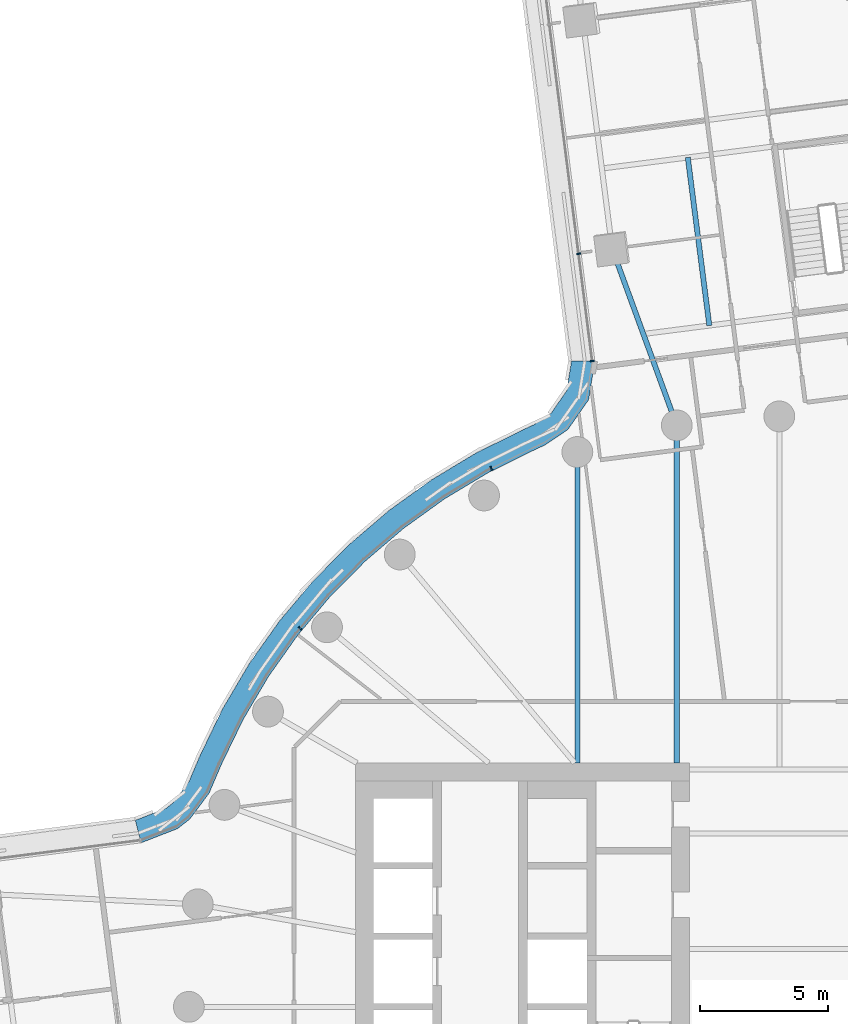
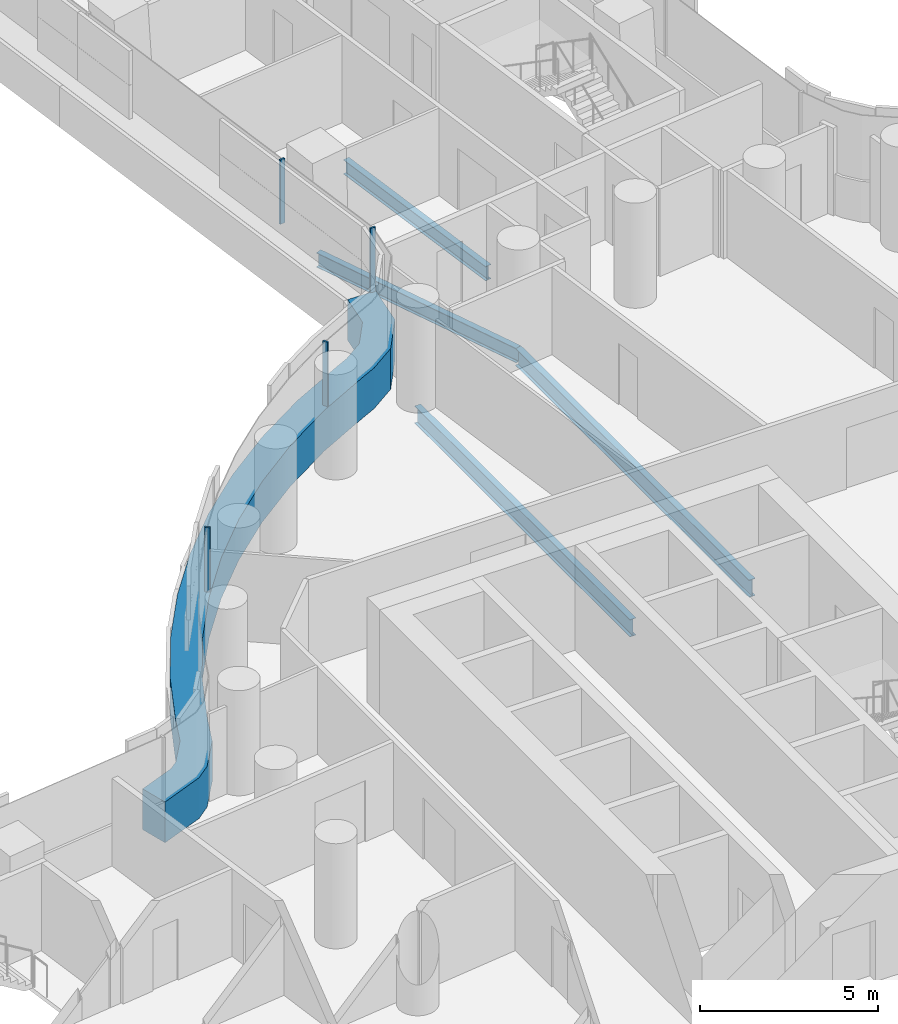
# One storey, part 13 of 31: 5 members, 4 beams, 2 elements without a shape of their own.
"""IFC4 building model written with IfcOpenShell, lengths in metres."""

from ifc_helpers import new_model, si_unit, direction, frame, origin, origin_2d, place, context, subcontext, project, spatial, polyline, rectangle, i_section, outline, extrude, material, layer, layer_set, material_profile, profile_set, type_object, element, aggregate, save


model = new_model("IFC4")

# Units and contexts
model_context = context("Model", 3, precision=1e-05, world=origin(), true_north=direction((0.0, 1.0)))
body_context = subcontext(model_context, "Body", "Model", "MODEL_VIEW")
ifc_project = project(units=[si_unit("LENGTHUNIT", "METRE"), si_unit("AREAUNIT", "SQUARE_METRE"), si_unit("VOLUMEUNIT", "CUBIC_METRE"), si_unit("PLANEANGLEUNIT", "RADIAN"), si_unit("MASSUNIT", "GRAM", prefix="KILO")], contexts=[model_context])

# Site, building, storey
site_placement = place(None, origin())
site = spatial("IfcSite", under=ifc_project, at=site_placement, CompositionType="ELEMENT")
building_placement = place(site_placement, origin())
building = spatial("IfcBuilding", under=site, at=building_placement, Name="Tamarind Cross Interchange Tower", CompositionType="ELEMENT")
storey_placement = place(building_placement, frame((0.0, 0.0, 60.25)))
storey = spatial("IfcBuildingStorey", under=building, at=storey_placement, Name="L13", CompositionType="ELEMENT", Elevation=60.25)

# Beams
ifc_material_1 = material(Name="Steel Q355B", Category="steel")
ifc_material_profile_1 = material_profile(ifc_material_1, i_section(OverallWidth=0.198974609375, OverallDepth=0.49609375, WebThickness=0.009033203125, FlangeThickness=0.013916015625, FilletRadius=0.012939453125, at=origin_2d()), Name="HN 496x199x9x14")
ifc_profile_set_1 = profile_set([ifc_material_profile_1], Name="Steel Q355B")
beam_type_1 = type_object("IfcBeamType", Name="Composite beam HN 496x199x9x14 Q355B", PredefinedType="BEAM", material=ifc_profile_set_1)
beam_1_placement = place(storey_placement, frame((-6.511962890625, 29.5322265625, -0.387939453125), z_axis=(0.343630981805, -0.939104758982, 0.0), x_axis=(0.939104758982, 0.343630981805, 0.0)))
element("IfcBeam", 1, at=beam_1_placement, inside=storey, type_object=beam_type_1, Name="Beam N-linkep", PredefinedType="BEAM", context=body_context, shape_type="SweptSolid", body=[
    extrude(i_section(OverallWidth=0.198974609375, OverallDepth=0.49609375, WebThickness=0.009033203125, FlangeThickness=0.013916015625, FilletRadius=0.012939453125, at=origin_2d()), origin(), (0.0, 0.0, 1.0), 7.327880859375),
])
beam_2_placement = place(storey_placement, frame((-2.72509765625, 26.5400390625, -0.387939453125), z_axis=(-0.127284690056, 0.991866224688, 0.0), x_axis=(-0.991866224688, -0.127284690056, 0.0)))
element("IfcBeam", 2, at=beam_2_placement, inside=storey, type_object=beam_type_1, Name="Beam N-stripp", PredefinedType="BEAM", context=body_context, shape_type="SweptSolid", body=[
    extrude(i_section(OverallWidth=0.198974609375, OverallDepth=0.49609375, WebThickness=0.009033203125, FlangeThickness=0.013916015625, FilletRadius=0.012939453125, at=origin_2d()), origin(), (0.0, 0.0, 1.0), 6.60009765625),
])
ifc_material_profile_2 = material_profile(ifc_material_1, i_section(OverallWidth=0.198974609375, OverallDepth=0.595947265625, WebThickness=0.010009765625, FlangeThickness=0.014892578125, FilletRadius=0.012939453125, at=origin_2d()), Name="HN 596x199x10x15")
ifc_profile_set_2 = profile_set([ifc_material_profile_2], Name="Steel Q355B")
beam_type_2 = type_object("IfcBeamType", Name="Composite beam HN 596x199x10x15 Q355B", PredefinedType="BEAM", material=ifc_profile_set_2)
beam_3_placement = place(storey_placement, frame((-3.993896484375, 22.650634765625, -0.43798828125), z_axis=(0.0, -1.0, 0.0), x_axis=(1.0, 0.0, 0.0)))
element("IfcBeam", 3, at=beam_3_placement, inside=storey, type_object=beam_type_2, Name="Beam HH10", PredefinedType="BEAM", context=body_context, shape_type="SweptSolid", body=[
    extrude(i_section(OverallWidth=0.198974609375, OverallDepth=0.595947265625, WebThickness=0.010009765625, FlangeThickness=0.014892578125, FilletRadius=0.012939453125, at=origin_2d()), origin(), (0.0, 0.0, 1.0), 13.150634765625),
])
beam_4_placement = place(storey_placement, frame((-7.866455078125, 21.613037109375, -0.43798828125), z_axis=(0.0, -1.0, 0.0), x_axis=(1.0, 0.0, 0.0)))
element("IfcBeam", 4, at=beam_4_placement, inside=storey, type_object=beam_type_2, Name="Beam HH11", PredefinedType="BEAM", context=body_context, shape_type="SweptSolid", body=[
    extrude(i_section(OverallWidth=0.198974609375, OverallDepth=0.595947265625, WebThickness=0.010009765625, FlangeThickness=0.014892578125, FilletRadius=0.012939453125, at=origin_2d()), origin(), (0.0, 0.0, 1.0), 12.113037109375),
])

# Curtain wall, member
ifc_material_2 = material(Name="Aluminium 6063-T6", Category="aluminium")
ifc_layer = layer(ifc_material_2, 0.159912109375)
ifc_layer_set = layer_set([ifc_layer], Name="Aluminium 6063-T6")
curtain_wall_type = type_object("IfcCurtainWallType", Name="Office curtain wall, 9.0 m bays", PredefinedType="NOTDEFINED", material=ifc_layer_set)
curtain_wall_1_placement = place(storey_placement, origin())
curtain_wall_1 = element("IfcCurtainWall", 5, at=curtain_wall_1_placement, inside=storey, type_object=curtain_wall_type, Name="CWS-L13-14", PredefinedType="NOTDEFINED")
ifc_material_3 = material(Name="Aluminium and insulated spandrel panel", Category="aluminium")
member_type_1 = type_object("IfcMemberType", Name="Floor-edge blade transom", PredefinedType="USERDEFINED", material=ifc_material_3)
member_1_placement = place(storey_placement, origin())
member_1 = element("IfcMember", 6, at=member_1_placement, type_object=member_type_1, Name="CWT-L13-14", ObjectType="TRANSOM", PredefinedType="USERDEFINED", context=body_context, shape_type="SweptSolid", body=[
    extrude(outline(polyline([(-7.18359375, 25.14892578125), (-7.42724609375, 23.64794921875), (-8.240478515625, 22.4814453125), (-9.12158203125, 21.887451171875), (-9.603759765625, 21.66259765625), (-11.367431640625, 20.791015625), (-13.045654296875, 19.78125), (-14.634521484375, 18.636474609375), (-16.12353515625, 17.3642578125), (-17.50244140625, 15.973388671875), (-18.76171875, 14.4736328125), (-19.892822265625, 12.874755859375), (-20.88818359375, 11.188232421875), (-21.742919921875, 9.420166015625), (-22.20947265625, 8.324462890625), (-22.9619140625, 7.313720703125), (-23.43798828125, 6.941650390625), (-24.86279296875, 6.387451171875), (-25.08642578125, 7.26611328125), (-23.8876953125, 7.732421875), (-23.611572265625, 7.9482421875), (-22.99560546875, 8.77587890625), (-22.5625, 9.792724609375), (-21.68212890625, 11.613525390625), (-20.64892578125, 13.3642578125), (-19.474853515625, 15.023681640625), (-18.167724609375, 16.580810546875), (-16.736572265625, 18.0244140625), (-15.19091796875, 19.344970703125), (-13.54150390625, 20.533203125), (-11.799560546875, 21.581298828125), (-9.9931640625, 22.47412109375), (-9.56591796875, 22.67333984375), (-8.8828125, 23.1337890625), (-8.28271484375, 23.994384765625), (-8.0927734375, 25.16455078125), (-7.18359375, 25.14892578125)])), origin(), (0.0, 0.0, 1.0), 1.39990234375),
])

curtain_wall_2_placement = place(storey_placement, origin())
curtain_wall_2 = element("IfcCurtainWall", 7, at=curtain_wall_2_placement, inside=storey, type_object=curtain_wall_type, Name="CWS-L13-13", PredefinedType="NOTDEFINED")
ifc_material_profile_3 = material_profile(ifc_material_2, rectangle(XDim=0.06005859375, YDim=0.159912109375, at=origin_2d()), Name="Mullion CW1")
ifc_profile_set_3 = profile_set([ifc_material_profile_3], Name="Aluminium 6063-T6")
member_type_2 = type_object("IfcMemberType", Name="Mullion CW1", PredefinedType="MULLION", material=ifc_profile_set_3)
member_2_placement = place(storey_placement, frame((-7.81689453125, 29.3359375, 1.39990234375), z_axis=(0.0, 0.0, 1.0), x_axis=(0.126160958881, -0.992009784455, 0.0)))
member_2 = element("IfcMember", 8, at=member_2_placement, type_object=member_type_2, Name="CWM-L13-13-02", PredefinedType="MULLION", context=body_context, shape_type="SweptSolid", body=[
    extrude(rectangle(XDim=0.06005859375, YDim=0.159912109375, at=origin_2d()), origin(), (0.0, 0.0, 1.0), 2.210205078125),
])
aggregate(curtain_wall_2, [member_2])

# Member
member_3_placement = place(storey_placement, frame((-7.28466796875, 25.150634765625, 1.39990234375), z_axis=(0.0, 0.0, 1.0), x_axis=(-0.01719456239, -0.999852162584, 0.0)))
member_3 = element("IfcMember", 9, at=member_3_placement, type_object=member_type_2, Name="CWM-L13-14-00", PredefinedType="MULLION", context=body_context, shape_type="SweptSolid", body=[
    extrude(rectangle(XDim=0.06005859375, YDim=0.159912109375, at=origin_2d()), origin(), (0.0, 0.0, 1.0), 2.210205078125),
])

member_4_placement = place(storey_placement, frame((-11.22216796875, 20.974365234375, 1.39990234375), z_axis=(0.0, 0.0, 1.0), x_axis=(-0.896492548518, -0.443058811505, 0.0)))
member_4 = element("IfcMember", 10, at=member_4_placement, type_object=member_type_2, Name="CWM-L13-14-01", PredefinedType="MULLION", context=body_context, shape_type="SweptSolid", body=[
    extrude(rectangle(XDim=0.06005859375, YDim=0.159912109375, at=origin_2d()), origin(), (0.0, 0.0, 1.0), 2.210205078125),
])

member_5_placement = place(storey_placement, frame((-18.66552734375, 14.74365234375, 1.39990234375), z_axis=(0.0, 0.0, 1.0), x_axis=(-0.643009266048, -0.765858396687, 0.0)))
member_5 = element("IfcMember", 11, at=member_5_placement, type_object=member_type_2, Name="CWM-L13-14-02", PredefinedType="MULLION", context=body_context, shape_type="SweptSolid", body=[
    extrude(rectangle(XDim=0.06005859375, YDim=0.159912109375, at=origin_2d()), origin(), (0.0, 0.0, 1.0), 2.210205078125),
])

aggregate(curtain_wall_1, [member_3, member_4, member_5, member_1])

save(model, "model.ifc")
